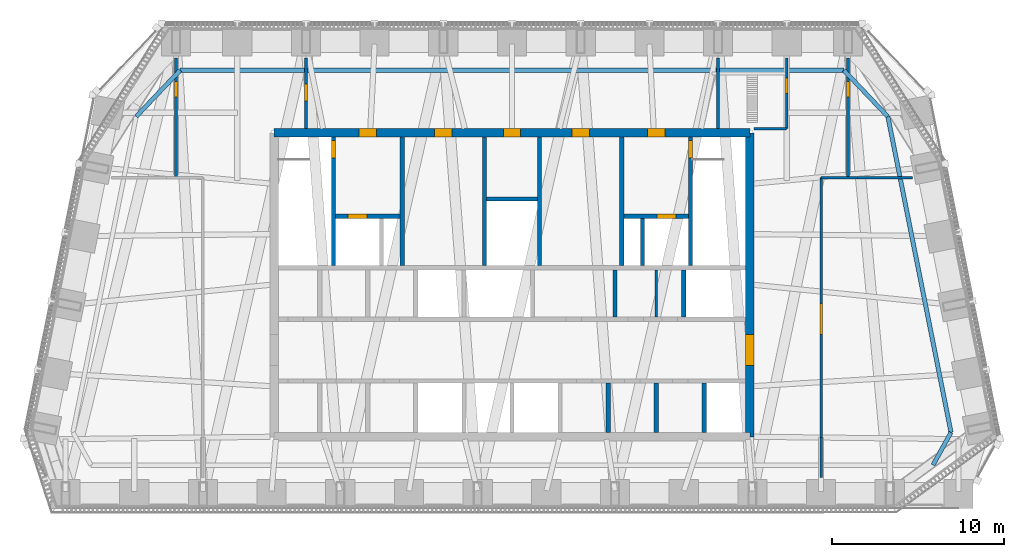
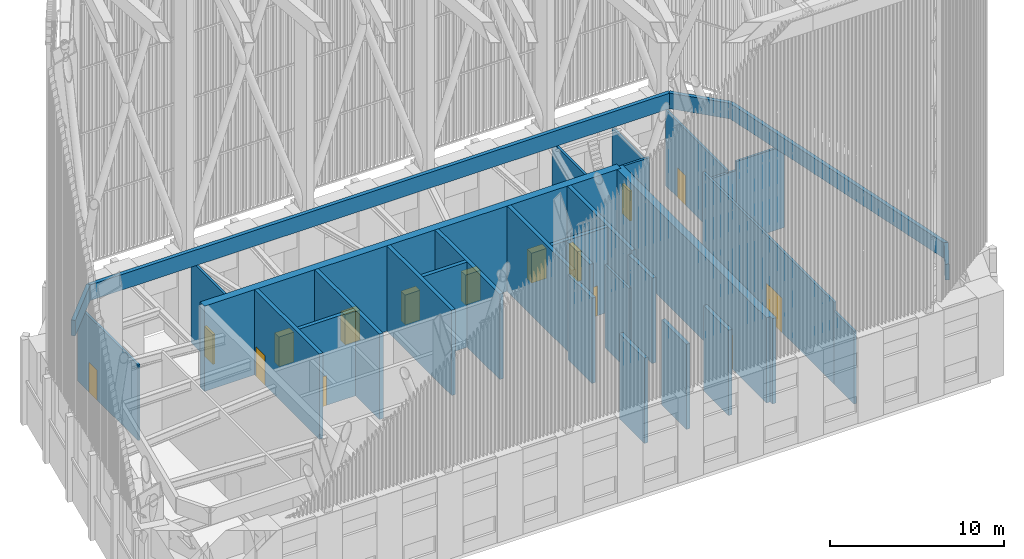
# One storey, part 6 of 15: 33 walls, 15 doors, 15 openings.
"""IFC4 building model written with IfcOpenShell, lengths in metres."""

from ifc_helpers import new_model, si_unit, direction, frame, frame_2d, origin, place, context, subcontext, project, spatial, polyline, rectangle, outline, extrude, material, layer, layer_set, type_object, element, fill, save


model = new_model("IFC4")

# Units and contexts
model_context = context("Model", 3, precision=1e-05, world=origin(), true_north=direction((0.0, 1.0)))
body_context = subcontext(model_context, "Body", "Model", "MODEL_VIEW")
ifc_project = project(units=[si_unit("LENGTHUNIT", "METRE"), si_unit("AREAUNIT", "SQUARE_METRE"), si_unit("VOLUMEUNIT", "CUBIC_METRE"), si_unit("PLANEANGLEUNIT", "RADIAN"), si_unit("MASSUNIT", "GRAM", prefix="KILO")], contexts=[model_context])

# Site, building, storey
site_placement = place(None, origin())
site = spatial("IfcSite", under=ifc_project, at=site_placement, CompositionType="ELEMENT")
building_placement = place(site_placement, origin())
building = spatial("IfcBuilding", under=site, at=building_placement, Name="Isbrekke Arena Tower", CompositionType="ELEMENT")
storey_placement = place(building_placement, frame((0.0, 0.0, 324.0)))
storey = spatial("IfcBuildingStorey", under=building, at=storey_placement, Name="L76", CompositionType="ELEMENT", Elevation=324.0)

# Wall, opening, door
ifc_material_1 = material(Name="Concrete B55 (C55/67)", Category="concrete")
ifc_layer_1 = layer(ifc_material_1, 0.5)
ifc_layer_set_1 = layer_set([ifc_layer_1], Name="CW5 CORE WALL 500")
wall_type_1 = type_object("IfcWallType", Name="CW5 CORE WALL 500", PredefinedType="SHEAR", material=ifc_layer_set_1)
wall_1_placement = place(storey_placement, frame((13.85009765625, 6.14990234375, 0.0), z_axis=(0.0, 0.0, 1.0), x_axis=(0.0, 1.0, 0.0)))
wall_1 = element("IfcWall", 1, at=wall_1_placement, inside=storey, type_object=wall_type_1, Name="Core wall E L76", PredefinedType="SHEAR", context=body_context, shape_type="SweptSolid", body=[
    extrude(outline(polyline([(0.0, -0.25), (17.7001953125, -0.25), (17.7001953125, 0.0), (17.4501953125, 0.0), (17.4501953125, 0.25), (0.25, 0.25), (0.25, 0.0), (0.0, 0.0), (0.0, -0.25)])), origin(), (0.0, 0.0, 1.0), 6.0),
])
opening_1_placement = place(wall_1_placement, frame((4.14990234375, 0.0, 0.0)))
opening_1 = element("IfcOpeningElement", 2, at=opening_1_placement, cuts=wall_1, Name="Opening D1", PredefinedType="OPENING", context=body_context, shape_type="SweptSolid", body=[
    extrude(rectangle(XDim=1.800048828125, YDim=2.39990234375, at=frame_2d((0.89990234375, 1.199951171875))), frame((0.0, 0.264892578125, 0.0), z_axis=(0.0, -1.0, 0.0), x_axis=(1.0, 0.0, 0.0)), (0.0, 0.0, 1.0), 0.52978515625),
])
ifc_material_2 = material(Name="Steel-framed glazed fire door", Category="steel")
door_type_1 = type_object("IfcDoorType", Name="D1 CORE LOBBY DOOR 1800 x 2400", OperationType="DOUBLE_DOOR_SINGLE_SWING", PredefinedType="DOOR", material=ifc_material_2)
door_1_placement = place(opening_1_placement, origin())
door_1 = element("IfcDoor", 3, at=door_1_placement, inside=storey, type_object=door_type_1, Name="D1 lift lobby door east L76", OperationType="DOUBLE_DOOR_SINGLE_SWING", OverallHeight=2.39990234375, OverallWidth=1.800048828125, PredefinedType="DOOR", context=body_context, shape_type="SweptSolid", body=[
    extrude(rectangle(XDim=1.800048828125, YDim=2.39990234375, at=frame_2d((0.89990234375, 1.199951171875))), frame((0.0, 0.249755859375, 0.0), z_axis=(0.0, -1.0, 0.0), x_axis=(1.0, 0.0, 0.0)), (0.0, 0.0, 1.0), 0.49951171875),
])
fill(opening_1, door_1)

# Wall, openings, doors
wall_2_placement = place(storey_placement, frame((13.85009765625, 23.85009765625, 0.0), z_axis=(0.0, 0.0, 1.0), x_axis=(-1.0, 0.0, 0.0)))
wall_2 = element("IfcWall", 4, at=wall_2_placement, inside=storey, type_object=wall_type_1, Name="Core wall N L76", PredefinedType="SHEAR", context=body_context, shape_type="SweptSolid", body=[
    extrude(rectangle(XDim=27.7001953125, YDim=0.5, at=frame_2d((13.85009765625, 0.0))), origin(), (0.0, 0.0, 1.0), 6.0),
])
opening_2_placement = place(wall_2_placement, frame((21.75, 0.0, 0.0)))
opening_2 = element("IfcOpeningElement", 5, at=opening_2_placement, cuts=wall_2, Name="Opening D3", PredefinedType="OPENING", context=body_context, shape_type="SweptSolid", body=[
    extrude(rectangle(XDim=1.0, YDim=2.10009765625, at=frame_2d((0.5, 1.050048828125))), frame((0.0, 0.264892578125, 0.0), z_axis=(0.0, -1.0, 0.0), x_axis=(1.0, 0.0, 0.0)), (0.0, 0.0, 1.0), 0.52978515625),
])
opening_3_placement = place(wall_2_placement, frame((4.949951171875, 0.0, 0.0)))
opening_3 = element("IfcOpeningElement", 6, at=opening_3_placement, cuts=wall_2, Name="Opening D3", PredefinedType="OPENING", context=body_context, shape_type="SweptSolid", body=[
    extrude(rectangle(XDim=1.0, YDim=2.10009765625, at=frame_2d((0.5, 1.050048828125))), frame((0.0, 0.264892578125, 0.0), z_axis=(0.0, -1.0, 0.0), x_axis=(1.0, 0.0, 0.0)), (0.0, 0.0, 1.0), 0.52978515625),
])
opening_4_placement = place(wall_2_placement, frame((17.35009765625, 0.0, 0.0)))
opening_4 = element("IfcOpeningElement", 7, at=opening_4_placement, cuts=wall_2, Name="Opening D4", PredefinedType="OPENING", context=body_context, shape_type="SweptSolid", body=[
    extrude(rectangle(XDim=1.0, YDim=2.10009765625, at=frame_2d((0.5, 1.050048828125))), frame((0.0, 0.264892578125, 0.0), z_axis=(0.0, -1.0, 0.0), x_axis=(1.0, 0.0, 0.0)), (0.0, 0.0, 1.0), 0.52978515625),
])
opening_5_placement = place(wall_2_placement, frame((13.35009765625, 0.0, 0.0)))
opening_5 = element("IfcOpeningElement", 8, at=opening_5_placement, cuts=wall_2, Name="Opening D4", PredefinedType="OPENING", context=body_context, shape_type="SweptSolid", body=[
    extrude(rectangle(XDim=1.0, YDim=2.10009765625, at=frame_2d((0.5, 1.050048828125))), frame((0.0, 0.264892578125, 0.0), z_axis=(0.0, -1.0, 0.0), x_axis=(1.0, 0.0, 0.0)), (0.0, 0.0, 1.0), 0.52978515625),
])
opening_6_placement = place(wall_2_placement, frame((9.35009765625, 0.0, 0.0)))
opening_6 = element("IfcOpeningElement", 9, at=opening_6_placement, cuts=wall_2, Name="Opening D4", PredefinedType="OPENING", context=body_context, shape_type="SweptSolid", body=[
    extrude(rectangle(XDim=1.0, YDim=2.10009765625, at=frame_2d((0.5, 1.050048828125))), frame((0.0, 0.264892578125, 0.0), z_axis=(0.0, -1.0, 0.0), x_axis=(1.0, 0.0, 0.0)), (0.0, 0.0, 1.0), 0.52978515625),
])
ifc_material_3 = material(Name="Steel fire door", Category="steel")
door_type_2 = type_object("IfcDoorType", Name="D3 FIRE LOBBY DOOR 1000 x 2100", OperationType="SINGLE_SWING_RIGHT", PredefinedType="DOOR", material=ifc_material_3)
door_2_placement = place(opening_2_placement, origin())
door_2 = element("IfcDoor", 10, at=door_2_placement, inside=storey, type_object=door_type_2, Name="D3 fire-fighting lobby door L76", OperationType="SINGLE_SWING_RIGHT", OverallHeight=2.10009765625, OverallWidth=1.0, PredefinedType="DOOR", context=body_context, shape_type="SweptSolid", body=[
    extrude(rectangle(XDim=1.0, YDim=2.10009765625, at=frame_2d((0.5, 1.050048828125))), frame((0.0, 0.249755859375, 0.0), z_axis=(0.0, -1.0, 0.0), x_axis=(1.0, 0.0, 0.0)), (0.0, 0.0, 1.0), 0.49951171875),
])
fill(opening_2, door_2)
door_3_placement = place(opening_3_placement, origin())
door_3 = element("IfcDoor", 11, at=door_3_placement, inside=storey, type_object=door_type_2, Name="D3 fire-fighting lobby door L76", OperationType="SINGLE_SWING_RIGHT", OverallHeight=2.10009765625, OverallWidth=1.0, PredefinedType="DOOR", context=body_context, shape_type="SweptSolid", body=[
    extrude(rectangle(XDim=1.0, YDim=2.10009765625, at=frame_2d((0.5, 1.050048828125))), frame((0.0, 0.249755859375, 0.0), z_axis=(0.0, -1.0, 0.0), x_axis=(1.0, 0.0, 0.0)), (0.0, 0.0, 1.0), 0.49951171875),
])
fill(opening_3, door_3)
ifc_material_4 = material(Name="Timber door", Category="wood")
door_type_3 = type_object("IfcDoorType", Name="D4 WC DOOR 1000 x 2100", OperationType="SINGLE_SWING_LEFT", PredefinedType="DOOR", material=ifc_material_4)
door_4_placement = place(opening_4_placement, origin())
door_4 = element("IfcDoor", 12, at=door_4_placement, inside=storey, type_object=door_type_3, Name="D4 wc female door L76", OperationType="SINGLE_SWING_LEFT", OverallHeight=2.10009765625, OverallWidth=1.0, PredefinedType="DOOR", context=body_context, shape_type="SweptSolid", body=[
    extrude(rectangle(XDim=1.0, YDim=2.10009765625, at=frame_2d((0.5, 1.050048828125))), frame((0.0, 0.249755859375, 0.0), z_axis=(0.0, -1.0, 0.0), x_axis=(1.0, 0.0, 0.0)), (0.0, 0.0, 1.0), 0.49951171875),
])
fill(opening_4, door_4)
door_5_placement = place(opening_5_placement, origin())
door_5 = element("IfcDoor", 13, at=door_5_placement, inside=storey, type_object=door_type_3, Name="D4 accessible wc door L76", OperationType="SINGLE_SWING_LEFT", OverallHeight=2.10009765625, OverallWidth=1.0, PredefinedType="DOOR", context=body_context, shape_type="SweptSolid", body=[
    extrude(rectangle(XDim=1.0, YDim=2.10009765625, at=frame_2d((0.5, 1.050048828125))), frame((0.0, 0.249755859375, 0.0), z_axis=(0.0, -1.0, 0.0), x_axis=(1.0, 0.0, 0.0)), (0.0, 0.0, 1.0), 0.49951171875),
])
fill(opening_5, door_5)
door_6_placement = place(opening_6_placement, origin())
door_6 = element("IfcDoor", 14, at=door_6_placement, inside=storey, type_object=door_type_3, Name="D4 wc male door L76", OperationType="SINGLE_SWING_LEFT", OverallHeight=2.10009765625, OverallWidth=1.0, PredefinedType="DOOR", context=body_context, shape_type="SweptSolid", body=[
    extrude(rectangle(XDim=1.0, YDim=2.10009765625, at=frame_2d((0.5, 1.050048828125))), frame((0.0, 0.249755859375, 0.0), z_axis=(0.0, -1.0, 0.0), x_axis=(1.0, 0.0, 0.0)), (0.0, 0.0, 1.0), 0.49951171875),
])
fill(opening_6, door_6)

# Walls
ifc_material_5 = material(Name="Concrete B45 (C45/55)", Category="concrete")
ifc_layer_2 = layer(ifc_material_5, 0.25)
ifc_layer_set_2 = layer_set([ifc_layer_2], Name="CW6 SHAFT WALL 250")
wall_type_2 = type_object("IfcWallType", Name="CW6 SHAFT WALL 250", PredefinedType="SHEAR", material=ifc_layer_set_2)
for number, where, z_axis, x_axis, name in (
    (15, (5.60009765625, 6.39990234375, 0.0), (0.0, 0.0, 1.0), (0.0, 1.0, 0.0), "Core wall SS07 L76"),
    (16, (8.39990234375, 6.39990234375, 0.0), (0.0, 0.0, 1.0), (0.0, 1.0, 0.0), "Core wall SS08 L76"),
    (17, (11.199951171875, 6.39990234375, 0.0), (0.0, 0.0, 1.0), (0.0, 1.0, 0.0), "Core wall SS09 L76"),
):
    element("IfcWall", number, at=place(storey_placement, frame(where, z_axis=z_axis, x_axis=x_axis)), inside=storey, type_object=wall_type_2, Name=name, PredefinedType="SHEAR", context=body_context, shape_type="SweptSolid", body=[
        extrude(rectangle(XDim=2.875, YDim=0.25, at=frame_2d((1.4375, 0.0))), origin(), (0.0, 0.0, 1.0), 6.0),
    ])
for number, where, z_axis, x_axis, name in (
    (18, (6.0, 13.125, 0.0), (0.0, 0.0, 1.0), (0.0, 1.0, 0.0), "Core wall SN06 L76"),
    (19, (10.0, 13.125, 0.0), (0.0, 0.0, 1.0), (0.0, 1.0, 0.0), "Core wall SN07 L76"),
):
    element("IfcWall", number, at=place(storey_placement, frame(where, z_axis=z_axis, x_axis=x_axis)), inside=storey, type_object=wall_type_2, Name=name, PredefinedType="SHEAR", context=body_context, shape_type="SweptSolid", body=[
        extrude(rectangle(XDim=2.75, YDim=0.25, at=frame_2d((1.375, 0.0))), origin(), (0.0, 0.0, 1.0), 6.0),
    ])

# Wall, opening, door
wall_3_placement = place(storey_placement, frame((-10.39990234375, 16.125, 0.0), z_axis=(0.0, 0.0, 1.0), x_axis=(0.0, 1.0, 0.0)))
wall_3 = element("IfcWall", 20, at=wall_3_placement, inside=storey, type_object=wall_type_2, Name="Core wall NV01 L76", PredefinedType="SHEAR", context=body_context, shape_type="SweptSolid", body=[
    extrude(rectangle(XDim=7.47509765625, YDim=0.25, at=frame_2d((3.737548828125, 0.0))), origin(), (0.0, 0.0, 1.0), 6.0),
])
opening_7_placement = place(wall_3_placement, frame((6.27490234375, 0.0, 0.0)))
opening_7 = element("IfcOpeningElement", 21, at=opening_7_placement, cuts=wall_3, Name="Opening D2", PredefinedType="OPENING", context=body_context, shape_type="SweptSolid", body=[
    extrude(rectangle(XDim=1.0, YDim=2.10009765625, at=frame_2d((0.5, 1.050048828125))), frame((0.0, 0.139892578125, 0.0), z_axis=(0.0, -1.0, 0.0), x_axis=(1.0, 0.0, 0.0)), (0.0, 0.0, 1.0), 0.27978515625),
])
ifc_material_6 = material(Name="Steel fire door", Category="steel")
door_type_4 = type_object("IfcDoorType", Name="D2 STAIR DOOR 1000 x 2100", OperationType="SINGLE_SWING_LEFT", PredefinedType="DOOR", material=ifc_material_6)
door_7_placement = place(opening_7_placement, origin())
door_7 = element("IfcDoor", 22, at=door_7_placement, inside=storey, type_object=door_type_4, Name="D2 stair door ST1 L76", OperationType="SINGLE_SWING_LEFT", OverallHeight=2.10009765625, OverallWidth=1.0, PredefinedType="DOOR", context=body_context, shape_type="SweptSolid", body=[
    extrude(rectangle(XDim=1.0, YDim=2.10009765625, at=frame_2d((0.5, 1.050048828125))), frame((0.0, 0.124755859375, 0.0), z_axis=(0.0, -1.0, 0.0), x_axis=(1.0, 0.0, 0.0)), (0.0, 0.0, 1.0), 0.24951171875),
])
fill(opening_7, door_7)

# Walls
for number, where, z_axis, x_axis, name in (
    (23, (-6.39990234375, 16.125, 0.0), (0.0, 0.0, 1.0), (0.0, 1.0, 0.0), "Core wall NV02 L76"),
    (24, (-1.60009765625, 16.125, 0.0), (0.0, 0.0, 1.0), (0.0, 1.0, 0.0), "Core wall NV03 L76"),
    (25, (1.60009765625, 16.125, 0.0), (0.0, 0.0, 1.0), (0.0, 1.0, 0.0), "Core wall NV04 L76"),
    (26, (6.39990234375, 16.125, 0.0), (0.0, 0.0, 1.0), (0.0, 1.0, 0.0), "Core wall NV05 L76"),
):
    element("IfcWall", number, at=place(storey_placement, frame(where, z_axis=z_axis, x_axis=x_axis)), inside=storey, type_object=wall_type_2, Name=name, PredefinedType="SHEAR", context=body_context, shape_type="SweptSolid", body=[
        extrude(rectangle(XDim=7.47509765625, YDim=0.25, at=frame_2d((3.737548828125, 0.0))), origin(), (0.0, 0.0, 1.0), 6.0),
    ])

# Wall, opening, door
wall_4_placement = place(storey_placement, frame((10.39990234375, 16.125, 0.0), z_axis=(0.0, 0.0, 1.0), x_axis=(0.0, 1.0, 0.0)))
wall_4 = element("IfcWall", 27, at=wall_4_placement, inside=storey, type_object=wall_type_2, Name="Core wall NV06 L76", PredefinedType="SHEAR", context=body_context, shape_type="SweptSolid", body=[
    extrude(rectangle(XDim=7.47509765625, YDim=0.25, at=frame_2d((3.737548828125, 0.0))), origin(), (0.0, 0.0, 1.0), 6.0),
])
opening_8_placement = place(wall_4_placement, frame((6.27490234375, 0.0, 0.0)))
opening_8 = element("IfcOpeningElement", 28, at=opening_8_placement, cuts=wall_4, Name="Opening D2", PredefinedType="OPENING", context=body_context, shape_type="SweptSolid", body=[
    extrude(rectangle(XDim=1.0, YDim=2.10009765625, at=frame_2d((0.5, 1.050048828125))), frame((0.0, 0.139892578125, 0.0), z_axis=(0.0, -1.0, 0.0), x_axis=(1.0, 0.0, 0.0)), (0.0, 0.0, 1.0), 0.27978515625),
])
door_8_placement = place(opening_8_placement, origin())
door_8 = element("IfcDoor", 29, at=door_8_placement, inside=storey, type_object=door_type_4, Name="D2 stair door ST2 L76", OperationType="SINGLE_SWING_LEFT", OverallHeight=2.10009765625, OverallWidth=1.0, PredefinedType="DOOR", context=body_context, shape_type="SweptSolid", body=[
    extrude(rectangle(XDim=1.0, YDim=2.10009765625, at=frame_2d((0.5, 1.050048828125))), frame((0.0, 0.124755859375, 0.0), z_axis=(0.0, -1.0, 0.0), x_axis=(1.0, 0.0, 0.0)), (0.0, 0.0, 1.0), 0.24951171875),
])
fill(opening_8, door_8)

wall_5_placement = place(storey_placement, frame((-10.27490234375, 19.0, 0.0), z_axis=(0.0, 0.0, 1.0), x_axis=(1.0, 0.0, 0.0)))
wall_5 = element("IfcWall", 30, at=wall_5_placement, inside=storey, type_object=wall_type_2, Name="Core wall NFW L76", PredefinedType="SHEAR", context=body_context, shape_type="SweptSolid", body=[
    extrude(rectangle(XDim=3.75, YDim=0.25, at=frame_2d((1.875, 0.0))), origin(), (0.0, 0.0, 1.0), 6.0),
])
opening_9_placement = place(wall_5_placement, frame((0.72509765625, 0.0, 0.0)))
opening_9 = element("IfcOpeningElement", 31, at=opening_9_placement, cuts=wall_5, Name="Opening LD2", PredefinedType="OPENING", context=body_context, shape_type="SweptSolid", body=[
    extrude(rectangle(XDim=1.10009765625, YDim=2.10009765625, at=frame_2d((0.550048828125, 1.050048828125))), frame((0.0, 0.139892578125, 0.0), z_axis=(0.0, -1.0, 0.0), x_axis=(1.0, 0.0, 0.0)), (0.0, 0.0, 1.0), 0.27978515625),
])
ifc_material_7 = material(Name="Stainless steel lift landing door", Category="steel")
door_type_5 = type_object("IfcDoorType", Name="LD2 FIRE-FIGHTING LIFT LANDING DOOR 1100 x 2100", OperationType="SLIDING_TO_RIGHT", PredefinedType="DOOR", material=ifc_material_7)
door_9_placement = place(opening_9_placement, origin())
door_9 = element("IfcDoor", 32, at=door_9_placement, inside=storey, type_object=door_type_5, Name="LD2 lift landing door LF L76", OperationType="SLIDING_TO_RIGHT", OverallHeight=2.10009765625, OverallWidth=1.10009765625, PredefinedType="DOOR", context=body_context, shape_type="SweptSolid", body=[
    extrude(rectangle(XDim=1.10009765625, YDim=2.10009765625, at=frame_2d((0.550048828125, 1.050048828125))), frame((0.0, 0.124755859375, 0.0), z_axis=(0.0, -1.0, 0.0), x_axis=(1.0, 0.0, 0.0)), (0.0, 0.0, 1.0), 0.24951171875),
])
fill(opening_9, door_9)

wall_6_placement = place(storey_placement, frame((6.52490234375, 19.0, 0.0), z_axis=(0.0, 0.0, 1.0), x_axis=(1.0, 0.0, 0.0)))
wall_6 = element("IfcWall", 33, at=wall_6_placement, inside=storey, type_object=wall_type_2, Name="Core wall NFE L76", PredefinedType="SHEAR", context=body_context, shape_type="SweptSolid", body=[
    extrude(rectangle(XDim=3.75, YDim=0.25, at=frame_2d((1.875, 0.0))), origin(), (0.0, 0.0, 1.0), 6.0),
])
opening_10_placement = place(wall_6_placement, frame((1.925048828125, 0.0, 0.0)))
opening_10 = element("IfcOpeningElement", 34, at=opening_10_placement, cuts=wall_6, Name="Opening LD2", PredefinedType="OPENING", context=body_context, shape_type="SweptSolid", body=[
    extrude(rectangle(XDim=1.10009765625, YDim=2.10009765625, at=frame_2d((0.550048828125, 1.050048828125))), frame((0.0, 0.139892578125, 0.0), z_axis=(0.0, -1.0, 0.0), x_axis=(1.0, 0.0, 0.0)), (0.0, 0.0, 1.0), 0.27978515625),
])
door_10_placement = place(opening_10_placement, origin())
door_10 = element("IfcDoor", 35, at=door_10_placement, inside=storey, type_object=door_type_5, Name="LD2 lift landing door LF L76", OperationType="SLIDING_TO_RIGHT", OverallHeight=2.10009765625, OverallWidth=1.10009765625, PredefinedType="DOOR", context=body_context, shape_type="SweptSolid", body=[
    extrude(rectangle(XDim=1.10009765625, YDim=2.10009765625, at=frame_2d((0.550048828125, 1.050048828125))), frame((0.0, 0.124755859375, 0.0), z_axis=(0.0, -1.0, 0.0), x_axis=(1.0, 0.0, 0.0)), (0.0, 0.0, 1.0), 0.24951171875),
])
fill(opening_10, door_10)

# Walls
wall_7_placement = place(storey_placement, frame((7.60009765625, 16.125, 0.0), z_axis=(0.0, 0.0, 1.0), x_axis=(0.0, 1.0, 0.0)))
element("IfcWall", 36, at=wall_7_placement, inside=storey, type_object=wall_type_2, Name="Core wall NFS2 L76", PredefinedType="SHEAR", context=body_context, shape_type="SweptSolid", body=[
    extrude(rectangle(XDim=2.75, YDim=0.25, at=frame_2d((1.375, 0.0))), origin(), (0.0, 0.0, 1.0), 6.0),
])
wall_8_placement = place(storey_placement, frame((-1.47509765625, 20.0, 0.0), z_axis=(0.0, 0.0, 1.0), x_axis=(1.0, 0.0, 0.0)))
element("IfcWall", 37, at=wall_8_placement, inside=storey, type_object=wall_type_2, Name="Core wall NWC L76", PredefinedType="SHEAR", context=body_context, shape_type="SweptSolid", body=[
    extrude(rectangle(XDim=2.9501953125, YDim=0.25, at=frame_2d((1.47509765625, 0.0))), origin(), (0.0, 0.0, 1.0), 6.0),
])
ifc_material_8 = material(Name="Gypsum board fire-rated partition on steel studs, two layers each side", Category="steel")
ifc_layer_3 = layer(ifc_material_8, 0.14990234375)
ifc_layer_set_3 = layer_set([ifc_layer_3], Name="IW5 FIRE-RATED PARTITION 150")
wall_type_3 = type_object("IfcWallType", Name="IW5 FIRE-RATED PARTITION 150", PredefinedType="PARTITIONING", material=ifc_layer_set_3)
wall_9_placement = place(storey_placement, frame((8.39990234375, 13.125, 0.0), z_axis=(0.0, 0.0, 1.0), x_axis=(0.0, 1.0, 0.0)))
element("IfcWall", 38, at=wall_9_placement, inside=storey, type_object=wall_type_3, Name="IW5 fire-rated partition L76 core service rooms 1", PredefinedType="PARTITIONING", context=body_context, shape_type="SweptSolid", body=[
    extrude(rectangle(XDim=2.75, YDim=0.14990234375, at=frame_2d((1.375, 0.0))), origin(), (0.0, 0.0, 1.0), 5.85009765625),
])
wall_10_placement = place(storey_placement, frame((18.0, 3.780029296875, 0.0), z_axis=(0.0, 0.0, 1.0), x_axis=(0.0, 1.0, 0.0)))
element("IfcWall", 39, at=wall_10_placement, inside=storey, type_object=wall_type_3, Name="IW5 fire-rated partition L76 plant WEA", PredefinedType="PARTITIONING", context=body_context, shape_type="SweptSolid", body=[
    extrude(rectangle(XDim=2.330322265625, YDim=0.14990234375, at=frame_2d((1.1650390625, 0.0))), origin(), (0.0, 0.0, 1.0), 5.1298828125),
])

# Wall, opening, door
wall_11_placement = place(storey_placement, frame((18.0, 6.1103515625, 0.0), z_axis=(0.0, 0.0, 1.0), x_axis=(0.0, 1.0, 0.0)))
wall_11 = element("IfcWall", 40, at=wall_11_placement, inside=storey, type_object=wall_type_3, Name="IW5 fire-rated partition L76 plant WEA", PredefinedType="PARTITIONING", context=body_context, shape_type="SweptSolid", body=[
    extrude(rectangle(XDim=15.129638671875, YDim=0.14990234375, at=frame_2d((7.56494140625, 0.0))), origin(), (0.0, 0.0, 1.0), 5.75),
])
opening_11_placement = place(wall_11_placement, frame((5.989501953125, 0.0, 0.0)))
opening_11 = element("IfcOpeningElement", 41, at=opening_11_placement, cuts=wall_11, Name="Opening D8", PredefinedType="OPENING", context=body_context, shape_type="SweptSolid", body=[
    extrude(rectangle(XDim=1.800048828125, YDim=2.39990234375, at=frame_2d((0.89990234375, 1.199951171875))), frame((0.0, 0.08984375, 0.0), z_axis=(0.0, -1.0, 0.0), x_axis=(1.0, 0.0, 0.0)), (0.0, 0.0, 1.0), 0.1796875),
])
ifc_material_9 = material(Name="Steel fire door", Category="steel")
door_type_6 = type_object("IfcDoorType", Name="D8 PLANT ROOM DOOR 1800 x 2400", OperationType="DOUBLE_DOOR_SINGLE_SWING", PredefinedType="DOOR", material=ifc_material_9)
door_11_placement = place(opening_11_placement, origin())
door_11 = element("IfcDoor", 42, at=door_11_placement, inside=storey, type_object=door_type_6, Name="D8 cooling tower plant room door L76", OperationType="DOUBLE_DOOR_SINGLE_SWING", OverallHeight=2.39990234375, OverallWidth=1.800048828125, PredefinedType="DOOR", context=body_context, shape_type="SweptSolid", body=[
    extrude(rectangle(XDim=1.800048828125, YDim=2.39990234375, at=frame_2d((0.89990234375, 1.199951171875))), frame((0.0, 0.07470703125, 0.0), z_axis=(0.0, -1.0, 0.0), x_axis=(1.0, 0.0, 0.0)), (0.0, 0.0, 1.0), 0.1494140625),
])
fill(opening_11, door_11)

# Walls
wall_12_placement = place(storey_placement, frame((18.0, 21.239990234375, 0.0), z_axis=(0.0, 0.0, 1.0), x_axis=(1.0, 0.0, 0.0)))
element("IfcWall", 43, at=wall_12_placement, inside=storey, type_object=wall_type_3, Name="IW5 fire-rated partition L76 plant WEB", PredefinedType="PARTITIONING", context=body_context, shape_type="SweptSolid", body=[
    extrude(rectangle(XDim=2.125244140625, YDim=0.14990234375, at=frame_2d((1.0625, 0.0))), origin(), (0.0, 0.0, 1.0), 5.1298828125),
])
wall_13_placement = place(storey_placement, frame((20.125244140625, 21.239990234375, 0.0), z_axis=(0.0, 0.0, 1.0), x_axis=(1.0, 0.0, 0.0)))
element("IfcWall", 44, at=wall_13_placement, inside=storey, type_object=wall_type_3, Name="IW5 fire-rated partition L76 plant WEB", PredefinedType="PARTITIONING", context=body_context, shape_type="SweptSolid", body=[
    extrude(rectangle(XDim=3.21142578125, YDim=0.14990234375, at=frame_2d((1.605712890625, 0.0))), origin(), (0.0, 0.0, 1.0), 5.75),
])

# Wall, opening, door
wall_14_placement = place(storey_placement, frame((19.570068359375, 21.239990234375, 0.0), z_axis=(0.0, 0.0, 1.0), x_axis=(0.0, 1.0, 0.0)))
wall_14 = element("IfcWall", 45, at=wall_14_placement, inside=storey, type_object=wall_type_3, Name="IW5 fire-rated partition L76 plant WEC", PredefinedType="PARTITIONING", context=body_context, shape_type="SweptSolid", body=[
    extrude(rectangle(XDim=6.97998046875, YDim=0.14990234375, at=frame_2d((3.489990234375, 0.0))), origin(), (0.0, 0.0, 1.0), 5.318115234375),
])
opening_12_placement = place(wall_14_placement, frame((4.7099609375, 0.0, 0.0)))
opening_12 = element("IfcOpeningElement", 46, at=opening_12_placement, cuts=wall_14, Name="Opening D5", PredefinedType="OPENING", context=body_context, shape_type="SweptSolid", body=[
    extrude(rectangle(XDim=0.89990234375, YDim=2.10009765625, at=frame_2d((0.449951171875, 1.050048828125))), frame((0.0, 0.08984375, 0.0), z_axis=(0.0, -1.0, 0.0), x_axis=(1.0, 0.0, 0.0)), (0.0, 0.0, 1.0), 0.1796875),
])
ifc_material_10 = material(Name="Steel fire door", Category="steel")
door_type_7 = type_object("IfcDoorType", Name="D5 SERVICE DOOR 900 x 2100", OperationType="SINGLE_SWING_LEFT", PredefinedType="DOOR", material=ifc_material_10)
door_12_placement = place(opening_12_placement, origin())
door_12 = element("IfcDoor", 47, at=door_12_placement, inside=storey, type_object=door_type_7, Name="D5 lift motor plant room door L76", OperationType="SINGLE_SWING_LEFT", OverallHeight=2.10009765625, OverallWidth=0.89990234375, PredefinedType="DOOR", context=body_context, shape_type="SweptSolid", body=[
    extrude(rectangle(XDim=0.89990234375, YDim=2.10009765625, at=frame_2d((0.449951171875, 1.050048828125))), frame((0.0, 0.07470703125, 0.0), z_axis=(0.0, -1.0, 0.0), x_axis=(1.0, 0.0, 0.0)), (0.0, 0.0, 1.0), 0.1494140625),
])
fill(opening_12, door_12)

# Wall
wall_15_placement = place(storey_placement, frame((12.0, 24.10009765625, 0.0), z_axis=(0.0, 0.0, 1.0), x_axis=(0.0, 1.0, 0.0)))
element("IfcWall", 48, at=wall_15_placement, inside=storey, type_object=wall_type_3, Name="IW5 fire-rated partition L76 plant WEM", PredefinedType="PARTITIONING", context=body_context, shape_type="SweptSolid", body=[
    extrude(rectangle(XDim=4.119873046875, YDim=0.14990234375, at=frame_2d((2.06005859375, 0.0))), origin(), (0.0, 0.0, 1.0), 5.75),
])

# Wall, opening, door
wall_16_placement = place(storey_placement, frame((-19.570068359375, 21.239990234375, 0.0), z_axis=(0.0, 0.0, 1.0), x_axis=(0.0, 1.0, 0.0)))
wall_16 = element("IfcWall", 49, at=wall_16_placement, inside=storey, type_object=wall_type_3, Name="IW5 fire-rated partition L76 plant WWC", PredefinedType="PARTITIONING", context=body_context, shape_type="SweptSolid", body=[
    extrude(rectangle(XDim=6.97998046875, YDim=0.14990234375, at=frame_2d((3.489990234375, 0.0))), origin(), (0.0, 0.0, 1.0), 5.318115234375),
])
opening_13_placement = place(wall_16_placement, frame((4.7099609375, 0.0, 0.0)))
opening_13 = element("IfcOpeningElement", 50, at=opening_13_placement, cuts=wall_16, Name="Opening D5", PredefinedType="OPENING", context=body_context, shape_type="SweptSolid", body=[
    extrude(rectangle(XDim=0.89990234375, YDim=2.10009765625, at=frame_2d((0.449951171875, 1.050048828125))), frame((0.0, 0.08984375, 0.0), z_axis=(0.0, -1.0, 0.0), x_axis=(1.0, 0.0, 0.0)), (0.0, 0.0, 1.0), 0.1796875),
])
door_13_placement = place(opening_13_placement, origin())
door_13 = element("IfcDoor", 51, at=door_13_placement, inside=storey, type_object=door_type_7, Name="D5 building management plant room door L76", OperationType="SINGLE_SWING_LEFT", OverallHeight=2.10009765625, OverallWidth=0.89990234375, PredefinedType="DOOR", context=body_context, shape_type="SweptSolid", body=[
    extrude(rectangle(XDim=0.89990234375, YDim=2.10009765625, at=frame_2d((0.449951171875, 1.050048828125))), frame((0.0, 0.07470703125, 0.0), z_axis=(0.0, -1.0, 0.0), x_axis=(1.0, 0.0, 0.0)), (0.0, 0.0, 1.0), 0.1494140625),
])
fill(opening_13, door_13)

wall_17_placement = place(storey_placement, frame((-12.0, 24.10009765625, 0.0), z_axis=(0.0, 0.0, 1.0), x_axis=(0.0, 1.0, 0.0)))
wall_17 = element("IfcWall", 52, at=wall_17_placement, inside=storey, type_object=wall_type_3, Name="IW5 fire-rated partition L76 plant WWM", PredefinedType="PARTITIONING", context=body_context, shape_type="SweptSolid", body=[
    extrude(rectangle(XDim=4.119873046875, YDim=0.14990234375, at=frame_2d((2.06005859375, 0.0))), origin(), (0.0, 0.0, 1.0), 5.75),
])
opening_14_placement = place(wall_17_placement, frame((1.60009765625, 0.0, 0.0)))
opening_14 = element("IfcOpeningElement", 53, at=opening_14_placement, cuts=wall_17, Name="Opening D3", PredefinedType="OPENING", context=body_context, shape_type="SweptSolid", body=[
    extrude(rectangle(XDim=1.0, YDim=2.10009765625, at=frame_2d((0.5, 1.050048828125))), frame((0.0, 0.08984375, 0.0), z_axis=(0.0, -1.0, 0.0), x_axis=(1.0, 0.0, 0.0)), (0.0, 0.0, 1.0), 0.1796875),
])
door_14_placement = place(opening_14_placement, origin())
door_14 = element("IfcDoor", 54, at=door_14_placement, inside=storey, type_object=door_type_2, Name="D3 refuge area door L76", OperationType="SINGLE_SWING_RIGHT", OverallHeight=2.10009765625, OverallWidth=1.0, PredefinedType="DOOR", context=body_context, shape_type="SweptSolid", body=[
    extrude(rectangle(XDim=1.0, YDim=2.10009765625, at=frame_2d((0.5, 1.050048828125))), frame((0.0, 0.07470703125, 0.0), z_axis=(0.0, -1.0, 0.0), x_axis=(1.0, 0.0, 0.0)), (0.0, 0.0, 1.0), 0.1494140625),
])
fill(opening_14, door_14)

wall_18_placement = place(storey_placement, frame((16.0, 24.10009765625, 0.0), z_axis=(0.0, 0.0, 1.0), x_axis=(0.0, 1.0, 0.0)))
wall_18 = element("IfcWall", 55, at=wall_18_placement, inside=storey, type_object=wall_type_3, Name="IW5 fire-rated partition L76 plant WRA", PredefinedType="PARTITIONING", context=body_context, shape_type="SweptSolid", body=[
    extrude(rectangle(XDim=4.119873046875, YDim=0.14990234375, at=frame_2d((2.06005859375, 0.0))), origin(), (0.0, 0.0, 1.0), 5.318115234375),
])
opening_15_placement = place(wall_18_placement, frame((2.050048828125, 0.0, 0.0)))
opening_15 = element("IfcOpeningElement", 56, at=opening_15_placement, cuts=wall_18, Name="Opening D5", PredefinedType="OPENING", context=body_context, shape_type="SweptSolid", body=[
    extrude(rectangle(XDim=0.89990234375, YDim=2.10009765625, at=frame_2d((0.449951171875, 1.050048828125))), frame((0.0, 0.08984375, 0.0), z_axis=(0.0, -1.0, 0.0), x_axis=(1.0, 0.0, 0.0)), (0.0, 0.0, 1.0), 0.1796875),
])
door_15_placement = place(opening_15_placement, origin())
door_15 = element("IfcDoor", 57, at=door_15_placement, inside=storey, type_object=door_type_7, Name="D5 roof access lobby door L76", OperationType="SINGLE_SWING_LEFT", OverallHeight=2.10009765625, OverallWidth=0.89990234375, PredefinedType="DOOR", context=body_context, shape_type="SweptSolid", body=[
    extrude(rectangle(XDim=0.89990234375, YDim=2.10009765625, at=frame_2d((0.449951171875, 1.050048828125))), frame((0.0, 0.07470703125, 0.0), z_axis=(0.0, -1.0, 0.0), x_axis=(1.0, 0.0, 0.0)), (0.0, 0.0, 1.0), 0.1494140625),
])
fill(opening_15, door_15)

# Walls
wall_19_placement = place(storey_placement, frame((14.10009765625, 24.10009765625, 0.0), z_axis=(0.0, 0.0, 1.0), x_axis=(1.0, 0.0, 0.0)))
element("IfcWall", 58, at=wall_19_placement, inside=storey, type_object=wall_type_3, Name="IW5 fire-rated partition L76 plant WRS", PredefinedType="PARTITIONING", context=body_context, shape_type="SweptSolid", body=[
    extrude(rectangle(XDim=1.89990234375, YDim=0.14990234375, at=frame_2d((0.949951171875, 0.0))), origin(), (0.0, 0.0, 1.0), 5.75),
])
ifc_material_11 = material(Name="Concrete B45 (C45/55)", Category="concrete")
ifc_layer_4 = layer(ifc_material_11, 0.25)
ifc_layer_set_4 = layer_set([ifc_layer_4], Name="PW1 PARAPET WALL 250")
wall_type_4 = type_object("IfcWallType", Name="PW1 PARAPET WALL 250", PredefinedType="PARAPET", material=ifc_layer_set_4)
wall_20_placement = place(storey_placement, frame((24.521728515625, 4.5, 6.0), z_axis=(0.0, 0.0, 1.0), x_axis=(0.481996345575, 0.876173226509, 0.0)))
element("IfcWall", 59, at=wall_20_placement, inside=storey, type_object=wall_type_4, Name="PW1 tower roof parapet 2", PredefinedType="PARAPET", context=body_context, shape_type="SweptSolid", body=[
    extrude(rectangle(XDim=2.174072265625, YDim=0.25, at=frame_2d((1.0869140625, 0.0))), origin(), (0.0, 0.0, 1.0), 1.10009765625),
])
wall_21_placement = place(storey_placement, frame((25.569580078125, 6.40478515625, 6.0), z_axis=(0.0, 0.0, 1.0), x_axis=(-0.196118637634, 0.980580175188, 0.0)))
element("IfcWall", 60, at=wall_21_placement, inside=storey, type_object=wall_type_4, Name="PW1 tower roof parapet 3", PredefinedType="PARAPET", context=body_context, shape_type="SweptSolid", body=[
    extrude(rectangle(XDim=18.76123046875, YDim=0.25, at=frame_2d((9.380615234375, 0.0))), origin(), (0.0, 0.0, 1.0), 1.10009765625),
])
wall_22_placement = place(storey_placement, frame((21.89013671875, 24.8017578125, 6.0), z_axis=(0.0, 0.0, 1.0), x_axis=(-0.688770149305, 0.724979780012, 0.0)))
element("IfcWall", 61, at=wall_22_placement, inside=storey, type_object=wall_type_4, Name="PW1 tower roof parapet 4", PredefinedType="PARAPET", context=body_context, shape_type="SweptSolid", body=[
    extrude(rectangle(XDim=3.721923828125, YDim=0.25, at=frame_2d((1.86083984375, 0.0))), origin(), (0.0, 0.0, 1.0), 1.10009765625),
])
wall_23_placement = place(storey_placement, frame((19.32666015625, 27.5, 6.0), z_axis=(0.0, 0.0, 1.0), x_axis=(-1.0, 0.0, 0.0)))
element("IfcWall", 62, at=wall_23_placement, inside=storey, type_object=wall_type_4, Name="PW1 tower roof parapet 5", PredefinedType="PARAPET", context=body_context, shape_type="SweptSolid", body=[
    extrude(rectangle(XDim=38.6533203125, YDim=0.25, at=frame_2d((19.32666015625, 0.0))), origin(), (0.0, 0.0, 1.0), 1.10009765625),
])
wall_24_placement = place(storey_placement, frame((-19.32666015625, 27.5, 6.0), z_axis=(0.0, 0.0, 1.0), x_axis=(-0.688770149305, -0.724979780012, 0.0)))
element("IfcWall", 63, at=wall_24_placement, inside=storey, type_object=wall_type_4, Name="PW1 tower roof parapet 6", PredefinedType="PARAPET", context=body_context, shape_type="SweptSolid", body=[
    extrude(rectangle(XDim=3.721923828125, YDim=0.25, at=frame_2d((1.86083984375, 0.0))), origin(), (0.0, 0.0, 1.0), 1.10009765625),
])

save(model, "model.ifc")
